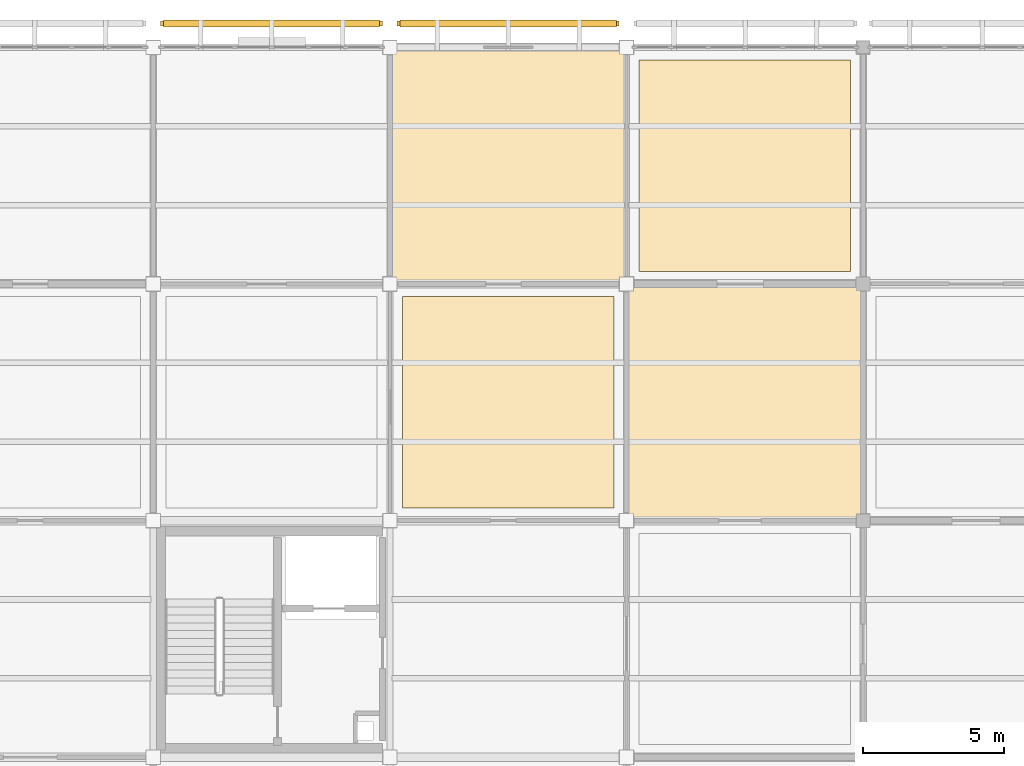
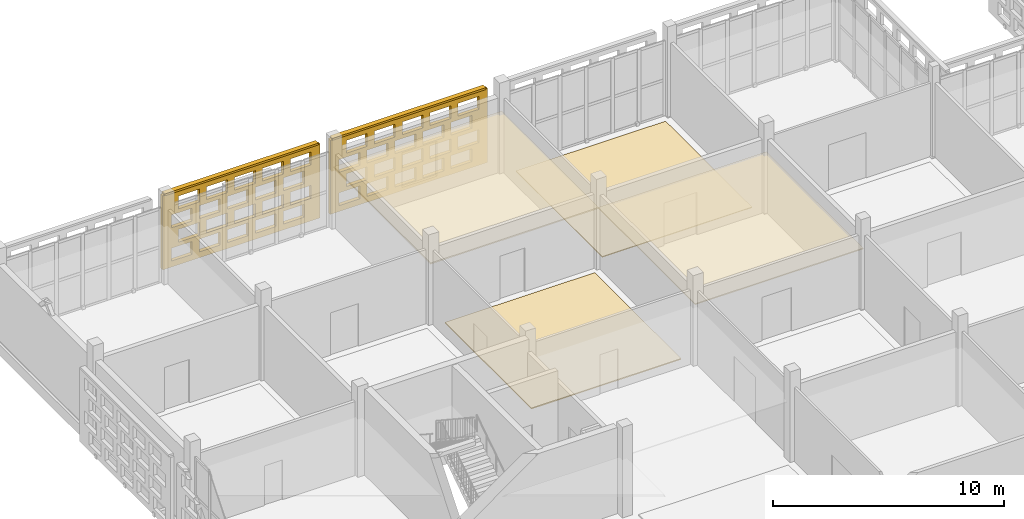
# One storey, part 164 of 203: 6 coverings, 2 shading devices, 40 openings.
"""IFC4 building model written with IfcOpenShell, lengths in metres."""

from ifc_helpers import new_model, si_unit, direction, frame, frame_2d, origin, origin_2d, place, context, subcontext, project, spatial, rectangle, extrude, material, layer, layer_set, type_object, element, save


model = new_model("IFC4")

# Units and contexts
model_context = context("Model", 3, precision=1e-05, world=origin(), true_north=direction((0.0, 1.0)))
body_context = subcontext(model_context, "Body", "Model", "MODEL_VIEW")
ifc_project = project(units=[si_unit("LENGTHUNIT", "METRE"), si_unit("AREAUNIT", "SQUARE_METRE"), si_unit("VOLUMEUNIT", "CUBIC_METRE"), si_unit("PLANEANGLEUNIT", "RADIAN"), si_unit("MASSUNIT", "GRAM", prefix="KILO")], contexts=[model_context])

# Site, building, storey
site_placement = place(None, origin())
site = spatial("IfcSite", under=ifc_project, at=site_placement, CompositionType="ELEMENT")
building_placement = place(site_placement, origin())
building = spatial("IfcBuilding", under=site, at=building_placement, Name="Varnapada Polytechnic", CompositionType="ELEMENT")
storey_placement = place(building_placement, frame((0.0, 0.0, 4.800048828125)))
storey = spatial("IfcBuildingStorey", under=building, at=storey_placement, Name="L01", CompositionType="ELEMENT", Elevation=4.800048828125)

# Coverings
ifc_material_1 = material(Name="End-Grain Timber Studio Block Flooring", Category="wood")
ifc_layer_1 = layer(ifc_material_1, 0.054931640625)
ifc_layer_set_1 = layer_set([ifc_layer_1], Name="End-Grain Timber Studio Block Flooring")
covering_type_1 = type_object("IfcCoveringType", Name="Floor Finish FLR-04", PredefinedType="FLOORING", material=ifc_layer_set_1)
covering_1_placement = place(storey_placement, frame((21.0, 113.39990234375, 0.0), z_axis=(0.0, 0.0, 1.0), x_axis=(1.0, 0.0, 0.0)))
element("IfcCovering", 1, at=covering_1_placement, inside=storey, type_object=covering_type_1, Name="L01 floor finish panel (3,14)", PredefinedType="FLOORING", context=body_context, shape_type="SweptSolid", body=[
    extrude(rectangle(XDim=7.5, YDim=7.5, at=origin_2d()), origin(), (0.0, 0.0, 1.0), 0.054931640625),
])
ifc_material_2 = material(Name="Acoustic Rubber Seminar Flooring")
ifc_layer_2 = layer(ifc_material_2, 0.0400390625)
ifc_layer_set_2 = layer_set([ifc_layer_2], Name="Acoustic Rubber Seminar Flooring")
covering_type_2 = type_object("IfcCoveringType", Name="Floor Finish FLR-06", PredefinedType="FLOORING", material=ifc_layer_set_2)
covering_2_placement = place(storey_placement, frame((29.39990234375, 121.800048828125, 0.0), z_axis=(0.0, 0.0, 1.0), x_axis=(1.0, 0.0, 0.0)))
element("IfcCovering", 2, at=covering_2_placement, inside=storey, type_object=covering_type_2, Name="L01 floor finish panel (4,15)", PredefinedType="FLOORING", context=body_context, shape_type="SweptSolid", body=[
    extrude(rectangle(XDim=7.5, YDim=7.5, at=origin_2d()), origin(), (0.0, 0.0, 1.0), 0.0400390625),
])
ifc_material_3 = material(Name="Slatted Merbau Timber Acoustic Ceiling", Category="wood")
ifc_layer_3 = layer(ifc_material_3, 0.054931640625)
ifc_layer_set_3 = layer_set([ifc_layer_3], Name="Slatted Merbau Timber Acoustic Ceiling")
covering_type_3 = type_object("IfcCoveringType", Name="Suspended Ceiling CLG-05", PredefinedType="CEILING", material=ifc_layer_set_3)
covering_3_placement = place(storey_placement, frame((29.39990234375, 113.39990234375, 3.0224609375), z_axis=(0.0, 0.0, 1.0), x_axis=(1.0, 0.0, 0.0)))
element("IfcCovering", 3, at=covering_3_placement, inside=storey, type_object=covering_type_3, Name="L01 suspended acoustic ceiling (4,14)", PredefinedType="CEILING", context=body_context, shape_type="SweptSolid", body=[
    extrude(rectangle(XDim=8.419921875, YDim=8.419921875, at=origin_2d()), origin(), (0.0, 0.0, 1.0), 0.054931640625),
])
ifc_material_4 = material(Name="Deep Acoustic Auditorium Cloud Baffle")
ifc_layer_4 = layer(ifc_material_4, 0.06494140625)
ifc_layer_set_4 = layer_set([ifc_layer_4], Name="Deep Acoustic Auditorium Cloud Baffle")
covering_type_4 = type_object("IfcCoveringType", Name="Suspended Ceiling CLG-07", PredefinedType="CEILING", material=ifc_layer_set_4)
covering_4_placement = place(storey_placement, frame((21.0, 121.800048828125, 3.017578125), z_axis=(0.0, 0.0, 1.0), x_axis=(1.0, 0.0, 0.0)))
element("IfcCovering", 4, at=covering_4_placement, inside=storey, type_object=covering_type_4, Name="L01 suspended acoustic ceiling (3,15)", PredefinedType="CEILING", context=body_context, shape_type="SweptSolid", body=[
    extrude(rectangle(XDim=8.419921875, YDim=8.419921875, at=origin_2d()), origin(), (0.0, 0.0, 1.0), 0.06494140625),
])

# Covering, openings
ifc_material_5 = material(Name="Earth-toned architectural terracotta screen block", Category="masonry")
ifc_layer_5 = layer(ifc_material_5, 0.1201171875)
ifc_layer_set_5 = layer_set([ifc_layer_5], Name="Earth-toned architectural terracotta screen block")
covering_type_5 = type_object("IfcCoveringType", Name="Terracotta Screen Cladding CLD-01", PredefinedType="CLADDING", material=ifc_layer_set_5)
covering_5_placement = place(storey_placement, frame((8.659912109375, 126.85009765625, 0.0), z_axis=(0.0, 0.0, 1.0), x_axis=(1.0, 0.0, 0.0)))
covering_5 = element("IfcCovering", 5, at=covering_5_placement, inside=storey, type_object=covering_type_5, Name="L01 perforated terracotta block screen (19)", PredefinedType="CLADDING", context=body_context, shape_type="SweptSolid", body=[
    extrude(rectangle(XDim=7.880126953125, YDim=0.179931640625, at=frame_2d((3.93994140625, 0.0))), origin(), (0.0, 0.0, 1.0), 3.919921875),
])
opening_1_placement = place(covering_5_placement, frame((0.43994140625, 0.0, 0.313720703125)))
element("IfcOpeningElement", 6, at=opening_1_placement, cuts=covering_5, Name="Screen perforation TBS-L01-018.1", PredefinedType="OPENING", context=body_context, shape_type="SweptSolid", body=[
    extrude(rectangle(XDim=1.0400390625, YDim=0.679931640625, at=frame_2d((0.52001953125, 0.33984375))), frame((0.0, 0.099853515625, 0.0), z_axis=(0.0, -1.0, 0.0), x_axis=(1.0, 0.0, 0.0)), (0.0, 0.0, 1.0), 0.199951171875),
])
opening_2_placement = place(covering_5_placement, frame((1.840087890625, 0.0, 0.313720703125)))
element("IfcOpeningElement", 7, at=opening_2_placement, cuts=covering_5, Name="Screen perforation TBS-L01-018.2", PredefinedType="OPENING", context=body_context, shape_type="SweptSolid", body=[
    extrude(rectangle(XDim=1.0400390625, YDim=0.679931640625, at=frame_2d((0.52001953125, 0.33984375))), frame((0.0, 0.099853515625, 0.0), z_axis=(0.0, -1.0, 0.0), x_axis=(1.0, 0.0, 0.0)), (0.0, 0.0, 1.0), 0.199951171875),
])
opening_3_placement = place(covering_5_placement, frame((3.239990234375, 0.0, 0.313720703125)))
element("IfcOpeningElement", 8, at=opening_3_placement, cuts=covering_5, Name="Screen perforation TBS-L01-018.3", PredefinedType="OPENING", context=body_context, shape_type="SweptSolid", body=[
    extrude(rectangle(XDim=1.0400390625, YDim=0.679931640625, at=frame_2d((0.52001953125, 0.33984375))), frame((0.0, 0.099853515625, 0.0), z_axis=(0.0, -1.0, 0.0), x_axis=(1.0, 0.0, 0.0)), (0.0, 0.0, 1.0), 0.199951171875),
])
opening_4_placement = place(covering_5_placement, frame((4.639892578125, 0.0, 0.313720703125)))
element("IfcOpeningElement", 9, at=opening_4_placement, cuts=covering_5, Name="Screen perforation TBS-L01-018.4", PredefinedType="OPENING", context=body_context, shape_type="SweptSolid", body=[
    extrude(rectangle(XDim=1.0400390625, YDim=0.679931640625, at=frame_2d((0.52001953125, 0.33984375))), frame((0.0, 0.099853515625, 0.0), z_axis=(0.0, -1.0, 0.0), x_axis=(1.0, 0.0, 0.0)), (0.0, 0.0, 1.0), 0.199951171875),
])
opening_5_placement = place(covering_5_placement, frame((6.0400390625, 0.0, 0.313720703125)))
element("IfcOpeningElement", 10, at=opening_5_placement, cuts=covering_5, Name="Screen perforation TBS-L01-018.5", PredefinedType="OPENING", context=body_context, shape_type="SweptSolid", body=[
    extrude(rectangle(XDim=1.0400390625, YDim=0.679931640625, at=frame_2d((0.52001953125, 0.33984375))), frame((0.0, 0.099853515625, 0.0), z_axis=(0.0, -1.0, 0.0), x_axis=(1.0, 0.0, 0.0)), (0.0, 0.0, 1.0), 0.199951171875),
])
opening_6_placement = place(covering_5_placement, frame((0.800048828125, 0.0, 1.195556640625)))
element("IfcOpeningElement", 11, at=opening_6_placement, cuts=covering_5, Name="Screen perforation TBS-L01-018.6", PredefinedType="OPENING", context=body_context, shape_type="SweptSolid", body=[
    extrude(rectangle(XDim=1.0400390625, YDim=0.679931640625, at=frame_2d((0.52001953125, 0.33984375))), frame((0.0, 0.099853515625, 0.0), z_axis=(0.0, -1.0, 0.0), x_axis=(1.0, 0.0, 0.0)), (0.0, 0.0, 1.0), 0.199951171875),
])
opening_7_placement = place(covering_5_placement, frame((2.199951171875, 0.0, 1.195556640625)))
element("IfcOpeningElement", 12, at=opening_7_placement, cuts=covering_5, Name="Screen perforation TBS-L01-018.7", PredefinedType="OPENING", context=body_context, shape_type="SweptSolid", body=[
    extrude(rectangle(XDim=1.0400390625, YDim=0.679931640625, at=frame_2d((0.52001953125, 0.33984375))), frame((0.0, 0.099853515625, 0.0), z_axis=(0.0, -1.0, 0.0), x_axis=(1.0, 0.0, 0.0)), (0.0, 0.0, 1.0), 0.199951171875),
])
opening_8_placement = place(covering_5_placement, frame((3.60009765625, 0.0, 1.195556640625)))
element("IfcOpeningElement", 13, at=opening_8_placement, cuts=covering_5, Name="Screen perforation TBS-L01-018.8", PredefinedType="OPENING", context=body_context, shape_type="SweptSolid", body=[
    extrude(rectangle(XDim=1.0400390625, YDim=0.679931640625, at=frame_2d((0.52001953125, 0.33984375))), frame((0.0, 0.099853515625, 0.0), z_axis=(0.0, -1.0, 0.0), x_axis=(1.0, 0.0, 0.0)), (0.0, 0.0, 1.0), 0.199951171875),
])
opening_9_placement = place(covering_5_placement, frame((5.0, 0.0, 1.195556640625)))
element("IfcOpeningElement", 14, at=opening_9_placement, cuts=covering_5, Name="Screen perforation TBS-L01-018.9", PredefinedType="OPENING", context=body_context, shape_type="SweptSolid", body=[
    extrude(rectangle(XDim=1.0400390625, YDim=0.679931640625, at=frame_2d((0.52001953125, 0.33984375))), frame((0.0, 0.099853515625, 0.0), z_axis=(0.0, -1.0, 0.0), x_axis=(1.0, 0.0, 0.0)), (0.0, 0.0, 1.0), 0.199951171875),
])
opening_10_placement = place(covering_5_placement, frame((6.39990234375, 0.0, 1.195556640625)))
element("IfcOpeningElement", 15, at=opening_10_placement, cuts=covering_5, Name="Screen perforation TBS-L01-018.10", PredefinedType="OPENING", context=body_context, shape_type="SweptSolid", body=[
    extrude(rectangle(XDim=1.0400390625, YDim=0.679931640625, at=frame_2d((0.52001953125, 0.33984375))), frame((0.0, 0.099853515625, 0.0), z_axis=(0.0, -1.0, 0.0), x_axis=(1.0, 0.0, 0.0)), (0.0, 0.0, 1.0), 0.199951171875),
])
opening_11_placement = place(covering_5_placement, frame((0.43994140625, 0.0, 2.07763671875)))
element("IfcOpeningElement", 16, at=opening_11_placement, cuts=covering_5, Name="Screen perforation TBS-L01-018.11", PredefinedType="OPENING", context=body_context, shape_type="SweptSolid", body=[
    extrude(rectangle(XDim=1.0400390625, YDim=0.679931640625, at=frame_2d((0.52001953125, 0.33984375))), frame((0.0, 0.099853515625, 0.0), z_axis=(0.0, -1.0, 0.0), x_axis=(1.0, 0.0, 0.0)), (0.0, 0.0, 1.0), 0.199951171875),
])
opening_12_placement = place(covering_5_placement, frame((1.840087890625, 0.0, 2.07763671875)))
element("IfcOpeningElement", 17, at=opening_12_placement, cuts=covering_5, Name="Screen perforation TBS-L01-018.12", PredefinedType="OPENING", context=body_context, shape_type="SweptSolid", body=[
    extrude(rectangle(XDim=1.0400390625, YDim=0.679931640625, at=frame_2d((0.52001953125, 0.33984375))), frame((0.0, 0.099853515625, 0.0), z_axis=(0.0, -1.0, 0.0), x_axis=(1.0, 0.0, 0.0)), (0.0, 0.0, 1.0), 0.199951171875),
])
opening_13_placement = place(covering_5_placement, frame((3.239990234375, 0.0, 2.07763671875)))
element("IfcOpeningElement", 18, at=opening_13_placement, cuts=covering_5, Name="Screen perforation TBS-L01-018.13", PredefinedType="OPENING", context=body_context, shape_type="SweptSolid", body=[
    extrude(rectangle(XDim=1.0400390625, YDim=0.679931640625, at=frame_2d((0.52001953125, 0.33984375))), frame((0.0, 0.099853515625, 0.0), z_axis=(0.0, -1.0, 0.0), x_axis=(1.0, 0.0, 0.0)), (0.0, 0.0, 1.0), 0.199951171875),
])
opening_14_placement = place(covering_5_placement, frame((4.639892578125, 0.0, 2.07763671875)))
element("IfcOpeningElement", 19, at=opening_14_placement, cuts=covering_5, Name="Screen perforation TBS-L01-018.14", PredefinedType="OPENING", context=body_context, shape_type="SweptSolid", body=[
    extrude(rectangle(XDim=1.0400390625, YDim=0.679931640625, at=frame_2d((0.52001953125, 0.33984375))), frame((0.0, 0.099853515625, 0.0), z_axis=(0.0, -1.0, 0.0), x_axis=(1.0, 0.0, 0.0)), (0.0, 0.0, 1.0), 0.199951171875),
])
opening_15_placement = place(covering_5_placement, frame((6.0400390625, 0.0, 2.07763671875)))
element("IfcOpeningElement", 20, at=opening_15_placement, cuts=covering_5, Name="Screen perforation TBS-L01-018.15", PredefinedType="OPENING", context=body_context, shape_type="SweptSolid", body=[
    extrude(rectangle(XDim=1.0400390625, YDim=0.679931640625, at=frame_2d((0.52001953125, 0.33984375))), frame((0.0, 0.099853515625, 0.0), z_axis=(0.0, -1.0, 0.0), x_axis=(1.0, 0.0, 0.0)), (0.0, 0.0, 1.0), 0.199951171875),
])
opening_16_placement = place(covering_5_placement, frame((0.800048828125, 0.0, 2.959716796875)))
element("IfcOpeningElement", 21, at=opening_16_placement, cuts=covering_5, Name="Screen perforation TBS-L01-018.16", PredefinedType="OPENING", context=body_context, shape_type="SweptSolid", body=[
    extrude(rectangle(XDim=1.0400390625, YDim=0.679931640625, at=frame_2d((0.52001953125, 0.33984375))), frame((0.0, 0.099853515625, 0.0), z_axis=(0.0, -1.0, 0.0), x_axis=(1.0, 0.0, 0.0)), (0.0, 0.0, 1.0), 0.199951171875),
])
opening_17_placement = place(covering_5_placement, frame((2.199951171875, 0.0, 2.959716796875)))
element("IfcOpeningElement", 22, at=opening_17_placement, cuts=covering_5, Name="Screen perforation TBS-L01-018.17", PredefinedType="OPENING", context=body_context, shape_type="SweptSolid", body=[
    extrude(rectangle(XDim=1.0400390625, YDim=0.679931640625, at=frame_2d((0.52001953125, 0.33984375))), frame((0.0, 0.099853515625, 0.0), z_axis=(0.0, -1.0, 0.0), x_axis=(1.0, 0.0, 0.0)), (0.0, 0.0, 1.0), 0.199951171875),
])
opening_18_placement = place(covering_5_placement, frame((3.60009765625, 0.0, 2.959716796875)))
element("IfcOpeningElement", 23, at=opening_18_placement, cuts=covering_5, Name="Screen perforation TBS-L01-018.18", PredefinedType="OPENING", context=body_context, shape_type="SweptSolid", body=[
    extrude(rectangle(XDim=1.0400390625, YDim=0.679931640625, at=frame_2d((0.52001953125, 0.33984375))), frame((0.0, 0.099853515625, 0.0), z_axis=(0.0, -1.0, 0.0), x_axis=(1.0, 0.0, 0.0)), (0.0, 0.0, 1.0), 0.199951171875),
])
opening_19_placement = place(covering_5_placement, frame((5.0, 0.0, 2.959716796875)))
element("IfcOpeningElement", 24, at=opening_19_placement, cuts=covering_5, Name="Screen perforation TBS-L01-018.19", PredefinedType="OPENING", context=body_context, shape_type="SweptSolid", body=[
    extrude(rectangle(XDim=1.0400390625, YDim=0.679931640625, at=frame_2d((0.52001953125, 0.33984375))), frame((0.0, 0.099853515625, 0.0), z_axis=(0.0, -1.0, 0.0), x_axis=(1.0, 0.0, 0.0)), (0.0, 0.0, 1.0), 0.199951171875),
])
opening_20_placement = place(covering_5_placement, frame((6.39990234375, 0.0, 2.959716796875)))
element("IfcOpeningElement", 25, at=opening_20_placement, cuts=covering_5, Name="Screen perforation TBS-L01-018.20", PredefinedType="OPENING", context=body_context, shape_type="SweptSolid", body=[
    extrude(rectangle(XDim=1.0400390625, YDim=0.679931640625, at=frame_2d((0.52001953125, 0.33984375))), frame((0.0, 0.099853515625, 0.0), z_axis=(0.0, -1.0, 0.0), x_axis=(1.0, 0.0, 0.0)), (0.0, 0.0, 1.0), 0.199951171875),
])

covering_6_placement = place(storey_placement, frame((17.06005859375, 126.85009765625, 0.0), z_axis=(0.0, 0.0, 1.0), x_axis=(1.0, 0.0, 0.0)))
covering_6 = element("IfcCovering", 26, at=covering_6_placement, inside=storey, type_object=covering_type_5, Name="L01 perforated terracotta block screen (23)", PredefinedType="CLADDING", context=body_context, shape_type="SweptSolid", body=[
    extrude(rectangle(XDim=7.8798828125, YDim=0.179931640625, at=frame_2d((3.93994140625, 0.0))), origin(), (0.0, 0.0, 1.0), 3.919921875),
])
opening_21_placement = place(covering_6_placement, frame((0.43994140625, 0.0, 0.313720703125)))
element("IfcOpeningElement", 27, at=opening_21_placement, cuts=covering_6, Name="Screen perforation TBS-L01-022.1", PredefinedType="OPENING", context=body_context, shape_type="SweptSolid", body=[
    extrude(rectangle(XDim=1.0400390625, YDim=0.679931640625, at=frame_2d((0.52001953125, 0.33984375))), frame((0.0, 0.099853515625, 0.0), z_axis=(0.0, -1.0, 0.0), x_axis=(1.0, 0.0, 0.0)), (0.0, 0.0, 1.0), 0.199951171875),
])
opening_22_placement = place(covering_6_placement, frame((1.840087890625, 0.0, 0.313720703125)))
element("IfcOpeningElement", 28, at=opening_22_placement, cuts=covering_6, Name="Screen perforation TBS-L01-022.2", PredefinedType="OPENING", context=body_context, shape_type="SweptSolid", body=[
    extrude(rectangle(XDim=1.0400390625, YDim=0.679931640625, at=frame_2d((0.52001953125, 0.33984375))), frame((0.0, 0.099853515625, 0.0), z_axis=(0.0, -1.0, 0.0), x_axis=(1.0, 0.0, 0.0)), (0.0, 0.0, 1.0), 0.199951171875),
])
opening_23_placement = place(covering_6_placement, frame((3.239990234375, 0.0, 0.313720703125)))
element("IfcOpeningElement", 29, at=opening_23_placement, cuts=covering_6, Name="Screen perforation TBS-L01-022.3", PredefinedType="OPENING", context=body_context, shape_type="SweptSolid", body=[
    extrude(rectangle(XDim=1.0400390625, YDim=0.679931640625, at=frame_2d((0.52001953125, 0.33984375))), frame((0.0, 0.099853515625, 0.0), z_axis=(0.0, -1.0, 0.0), x_axis=(1.0, 0.0, 0.0)), (0.0, 0.0, 1.0), 0.199951171875),
])
opening_24_placement = place(covering_6_placement, frame((4.639892578125, 0.0, 0.313720703125)))
element("IfcOpeningElement", 30, at=opening_24_placement, cuts=covering_6, Name="Screen perforation TBS-L01-022.4", PredefinedType="OPENING", context=body_context, shape_type="SweptSolid", body=[
    extrude(rectangle(XDim=1.0400390625, YDim=0.679931640625, at=frame_2d((0.52001953125, 0.33984375))), frame((0.0, 0.099853515625, 0.0), z_axis=(0.0, -1.0, 0.0), x_axis=(1.0, 0.0, 0.0)), (0.0, 0.0, 1.0), 0.199951171875),
])
opening_25_placement = place(covering_6_placement, frame((6.0400390625, 0.0, 0.313720703125)))
element("IfcOpeningElement", 31, at=opening_25_placement, cuts=covering_6, Name="Screen perforation TBS-L01-022.5", PredefinedType="OPENING", context=body_context, shape_type="SweptSolid", body=[
    extrude(rectangle(XDim=1.0400390625, YDim=0.679931640625, at=frame_2d((0.52001953125, 0.33984375))), frame((0.0, 0.099853515625, 0.0), z_axis=(0.0, -1.0, 0.0), x_axis=(1.0, 0.0, 0.0)), (0.0, 0.0, 1.0), 0.199951171875),
])
opening_26_placement = place(covering_6_placement, frame((0.800048828125, 0.0, 1.195556640625)))
element("IfcOpeningElement", 32, at=opening_26_placement, cuts=covering_6, Name="Screen perforation TBS-L01-022.6", PredefinedType="OPENING", context=body_context, shape_type="SweptSolid", body=[
    extrude(rectangle(XDim=1.0400390625, YDim=0.679931640625, at=frame_2d((0.52001953125, 0.33984375))), frame((0.0, 0.099853515625, 0.0), z_axis=(0.0, -1.0, 0.0), x_axis=(1.0, 0.0, 0.0)), (0.0, 0.0, 1.0), 0.199951171875),
])
opening_27_placement = place(covering_6_placement, frame((2.199951171875, 0.0, 1.195556640625)))
element("IfcOpeningElement", 33, at=opening_27_placement, cuts=covering_6, Name="Screen perforation TBS-L01-022.7", PredefinedType="OPENING", context=body_context, shape_type="SweptSolid", body=[
    extrude(rectangle(XDim=1.0400390625, YDim=0.679931640625, at=frame_2d((0.52001953125, 0.33984375))), frame((0.0, 0.099853515625, 0.0), z_axis=(0.0, -1.0, 0.0), x_axis=(1.0, 0.0, 0.0)), (0.0, 0.0, 1.0), 0.199951171875),
])
opening_28_placement = place(covering_6_placement, frame((3.60009765625, 0.0, 1.195556640625)))
element("IfcOpeningElement", 34, at=opening_28_placement, cuts=covering_6, Name="Screen perforation TBS-L01-022.8", PredefinedType="OPENING", context=body_context, shape_type="SweptSolid", body=[
    extrude(rectangle(XDim=1.0400390625, YDim=0.679931640625, at=frame_2d((0.52001953125, 0.33984375))), frame((0.0, 0.099853515625, 0.0), z_axis=(0.0, -1.0, 0.0), x_axis=(1.0, 0.0, 0.0)), (0.0, 0.0, 1.0), 0.199951171875),
])
opening_29_placement = place(covering_6_placement, frame((5.0, 0.0, 1.195556640625)))
element("IfcOpeningElement", 35, at=opening_29_placement, cuts=covering_6, Name="Screen perforation TBS-L01-022.9", PredefinedType="OPENING", context=body_context, shape_type="SweptSolid", body=[
    extrude(rectangle(XDim=1.0400390625, YDim=0.679931640625, at=frame_2d((0.52001953125, 0.33984375))), frame((0.0, 0.099853515625, 0.0), z_axis=(0.0, -1.0, 0.0), x_axis=(1.0, 0.0, 0.0)), (0.0, 0.0, 1.0), 0.199951171875),
])
opening_30_placement = place(covering_6_placement, frame((6.39990234375, 0.0, 1.195556640625)))
element("IfcOpeningElement", 36, at=opening_30_placement, cuts=covering_6, Name="Screen perforation TBS-L01-022.10", PredefinedType="OPENING", context=body_context, shape_type="SweptSolid", body=[
    extrude(rectangle(XDim=1.0400390625, YDim=0.679931640625, at=frame_2d((0.52001953125, 0.33984375))), frame((0.0, 0.099853515625, 0.0), z_axis=(0.0, -1.0, 0.0), x_axis=(1.0, 0.0, 0.0)), (0.0, 0.0, 1.0), 0.199951171875),
])
opening_31_placement = place(covering_6_placement, frame((0.43994140625, 0.0, 2.07763671875)))
element("IfcOpeningElement", 37, at=opening_31_placement, cuts=covering_6, Name="Screen perforation TBS-L01-022.11", PredefinedType="OPENING", context=body_context, shape_type="SweptSolid", body=[
    extrude(rectangle(XDim=1.0400390625, YDim=0.679931640625, at=frame_2d((0.52001953125, 0.33984375))), frame((0.0, 0.099853515625, 0.0), z_axis=(0.0, -1.0, 0.0), x_axis=(1.0, 0.0, 0.0)), (0.0, 0.0, 1.0), 0.199951171875),
])
opening_32_placement = place(covering_6_placement, frame((1.840087890625, 0.0, 2.07763671875)))
element("IfcOpeningElement", 38, at=opening_32_placement, cuts=covering_6, Name="Screen perforation TBS-L01-022.12", PredefinedType="OPENING", context=body_context, shape_type="SweptSolid", body=[
    extrude(rectangle(XDim=1.0400390625, YDim=0.679931640625, at=frame_2d((0.52001953125, 0.33984375))), frame((0.0, 0.099853515625, 0.0), z_axis=(0.0, -1.0, 0.0), x_axis=(1.0, 0.0, 0.0)), (0.0, 0.0, 1.0), 0.199951171875),
])
opening_33_placement = place(covering_6_placement, frame((3.239990234375, 0.0, 2.07763671875)))
element("IfcOpeningElement", 39, at=opening_33_placement, cuts=covering_6, Name="Screen perforation TBS-L01-022.13", PredefinedType="OPENING", context=body_context, shape_type="SweptSolid", body=[
    extrude(rectangle(XDim=1.0400390625, YDim=0.679931640625, at=frame_2d((0.52001953125, 0.33984375))), frame((0.0, 0.099853515625, 0.0), z_axis=(0.0, -1.0, 0.0), x_axis=(1.0, 0.0, 0.0)), (0.0, 0.0, 1.0), 0.199951171875),
])
opening_34_placement = place(covering_6_placement, frame((4.639892578125, 0.0, 2.07763671875)))
element("IfcOpeningElement", 40, at=opening_34_placement, cuts=covering_6, Name="Screen perforation TBS-L01-022.14", PredefinedType="OPENING", context=body_context, shape_type="SweptSolid", body=[
    extrude(rectangle(XDim=1.0400390625, YDim=0.679931640625, at=frame_2d((0.52001953125, 0.33984375))), frame((0.0, 0.099853515625, 0.0), z_axis=(0.0, -1.0, 0.0), x_axis=(1.0, 0.0, 0.0)), (0.0, 0.0, 1.0), 0.199951171875),
])
opening_35_placement = place(covering_6_placement, frame((6.0400390625, 0.0, 2.07763671875)))
element("IfcOpeningElement", 41, at=opening_35_placement, cuts=covering_6, Name="Screen perforation TBS-L01-022.15", PredefinedType="OPENING", context=body_context, shape_type="SweptSolid", body=[
    extrude(rectangle(XDim=1.0400390625, YDim=0.679931640625, at=frame_2d((0.52001953125, 0.33984375))), frame((0.0, 0.099853515625, 0.0), z_axis=(0.0, -1.0, 0.0), x_axis=(1.0, 0.0, 0.0)), (0.0, 0.0, 1.0), 0.199951171875),
])
opening_36_placement = place(covering_6_placement, frame((0.800048828125, 0.0, 2.959716796875)))
element("IfcOpeningElement", 42, at=opening_36_placement, cuts=covering_6, Name="Screen perforation TBS-L01-022.16", PredefinedType="OPENING", context=body_context, shape_type="SweptSolid", body=[
    extrude(rectangle(XDim=1.0400390625, YDim=0.679931640625, at=frame_2d((0.52001953125, 0.33984375))), frame((0.0, 0.099853515625, 0.0), z_axis=(0.0, -1.0, 0.0), x_axis=(1.0, 0.0, 0.0)), (0.0, 0.0, 1.0), 0.199951171875),
])
opening_37_placement = place(covering_6_placement, frame((2.199951171875, 0.0, 2.959716796875)))
element("IfcOpeningElement", 43, at=opening_37_placement, cuts=covering_6, Name="Screen perforation TBS-L01-022.17", PredefinedType="OPENING", context=body_context, shape_type="SweptSolid", body=[
    extrude(rectangle(XDim=1.0400390625, YDim=0.679931640625, at=frame_2d((0.52001953125, 0.33984375))), frame((0.0, 0.099853515625, 0.0), z_axis=(0.0, -1.0, 0.0), x_axis=(1.0, 0.0, 0.0)), (0.0, 0.0, 1.0), 0.199951171875),
])
opening_38_placement = place(covering_6_placement, frame((3.60009765625, 0.0, 2.959716796875)))
element("IfcOpeningElement", 44, at=opening_38_placement, cuts=covering_6, Name="Screen perforation TBS-L01-022.18", PredefinedType="OPENING", context=body_context, shape_type="SweptSolid", body=[
    extrude(rectangle(XDim=1.0400390625, YDim=0.679931640625, at=frame_2d((0.52001953125, 0.33984375))), frame((0.0, 0.099853515625, 0.0), z_axis=(0.0, -1.0, 0.0), x_axis=(1.0, 0.0, 0.0)), (0.0, 0.0, 1.0), 0.199951171875),
])
opening_39_placement = place(covering_6_placement, frame((5.0, 0.0, 2.959716796875)))
element("IfcOpeningElement", 45, at=opening_39_placement, cuts=covering_6, Name="Screen perforation TBS-L01-022.19", PredefinedType="OPENING", context=body_context, shape_type="SweptSolid", body=[
    extrude(rectangle(XDim=1.0400390625, YDim=0.679931640625, at=frame_2d((0.52001953125, 0.33984375))), frame((0.0, 0.099853515625, 0.0), z_axis=(0.0, -1.0, 0.0), x_axis=(1.0, 0.0, 0.0)), (0.0, 0.0, 1.0), 0.199951171875),
])
opening_40_placement = place(covering_6_placement, frame((6.39990234375, 0.0, 2.959716796875)))
element("IfcOpeningElement", 46, at=opening_40_placement, cuts=covering_6, Name="Screen perforation TBS-L01-022.20", PredefinedType="OPENING", context=body_context, shape_type="SweptSolid", body=[
    extrude(rectangle(XDim=1.0400390625, YDim=0.679931640625, at=frame_2d((0.52001953125, 0.33984375))), frame((0.0, 0.099853515625, 0.0), z_axis=(0.0, -1.0, 0.0), x_axis=(1.0, 0.0, 0.0)), (0.0, 0.0, 1.0), 0.199951171875),
])

# Shading devices
ifc_layer_6 = layer(ifc_material_5, 0.179931640625)
ifc_layer_set_6 = layer_set([ifc_layer_6], Name="Earth-toned architectural terracotta screen block")
shading_device_type = type_object("IfcShadingDeviceType", Name="Terracotta Screen SCR-02", PredefinedType="USERDEFINED", material=ifc_layer_set_6)
for number, where, z_axis, x_axis, name in (
    (47, (12.60009765625, 126.85009765625, 3.909912109375), (0.0, 0.0, 1.0), (1.0, 0.0, 0.0), "L01 perforated terracotta screen hood 101"),
    (48, (21.0, 126.85009765625, 3.909912109375), (0.0, 0.0, 1.0), (1.0, 0.0, 0.0), "L01 perforated terracotta screen hood 104"),
):
    element("IfcShadingDevice", number, at=place(storey_placement, frame(where, z_axis=z_axis, x_axis=x_axis)), inside=storey, type_object=shading_device_type, Name=name, ObjectType="SCREEN", PredefinedType="USERDEFINED", context=body_context, shape_type="SweptSolid", body=[
        extrude(rectangle(XDim=7.679931640625, YDim=0.239990234375, at=origin_2d()), origin(), (0.0, 0.0, 1.0), 0.10009765625),
    ])

save(model, "model.ifc")
